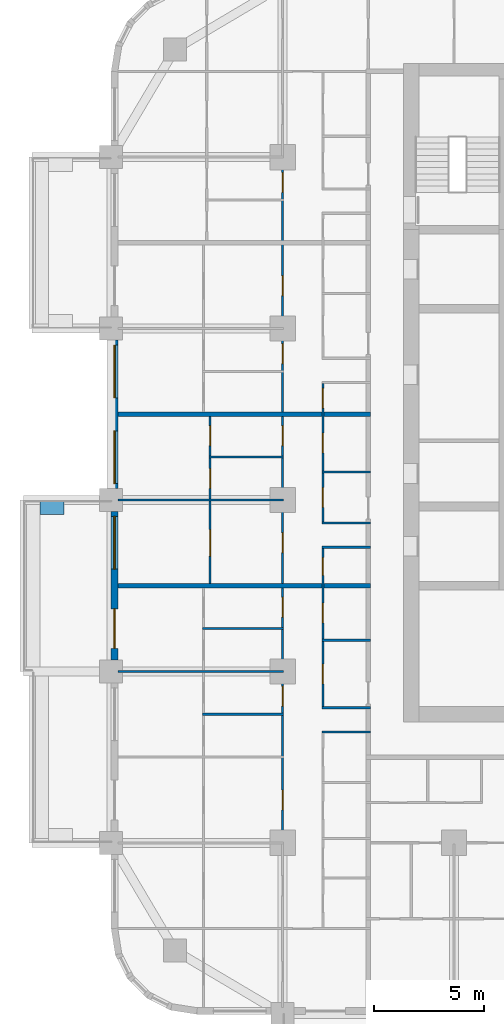
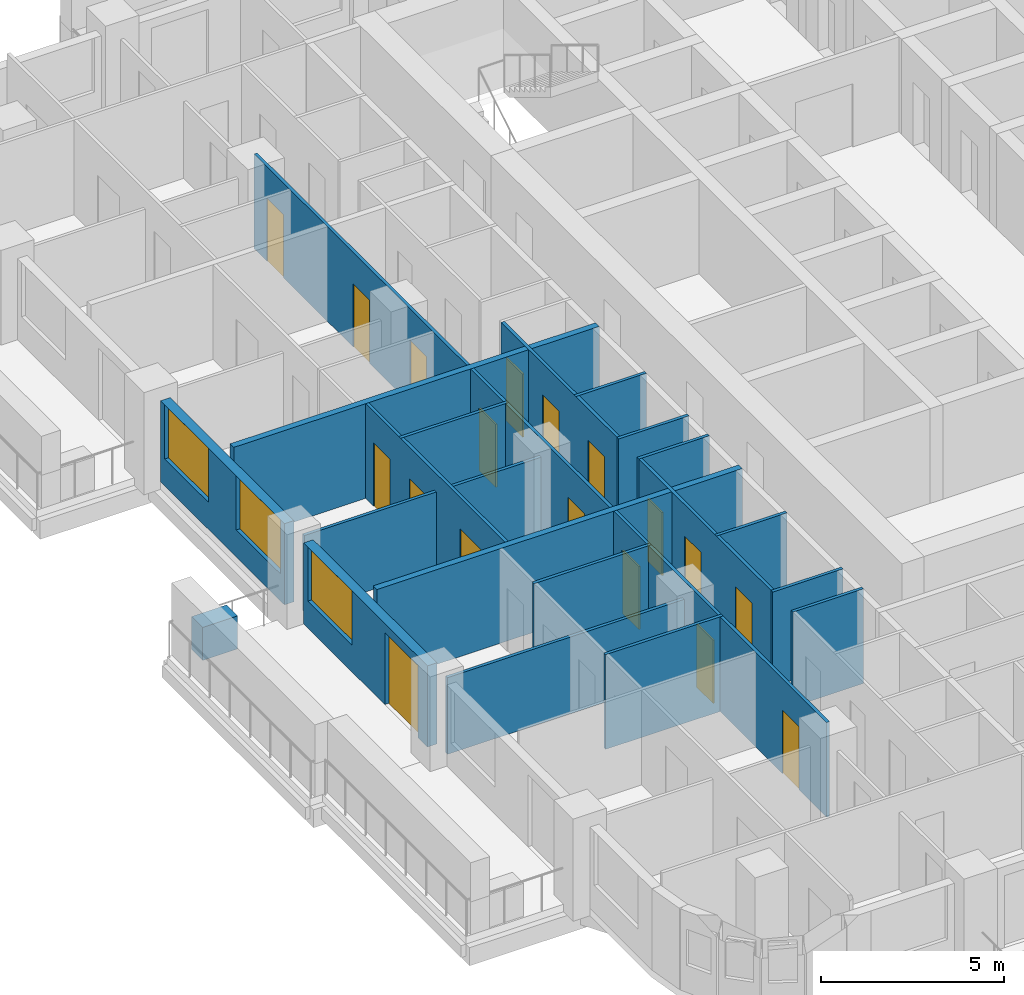
# One storey, part 5 of 17: 20 walls, 18 doors, 3 windows, 21 openings.
"""IFC4 building model written with IfcOpenShell, lengths in metres."""

from ifc_helpers import new_model, si_unit, direction, frame, frame_2d, origin, place, context, subcontext, project, spatial, rectangle, extrude, material, layer, layer_set, type_object, element, fill, save


model = new_model("IFC4")

# Units and contexts
model_context = context("Model", 3, precision=1e-05, world=origin(), true_north=direction((0.0, 1.0)))
body_context = subcontext(model_context, "Body", "Model", "MODEL_VIEW")
ifc_project = project(units=[si_unit("LENGTHUNIT", "METRE"), si_unit("AREAUNIT", "SQUARE_METRE"), si_unit("VOLUMEUNIT", "CUBIC_METRE"), si_unit("PLANEANGLEUNIT", "RADIAN"), si_unit("MASSUNIT", "GRAM", prefix="KILO")], contexts=[model_context])

# Site, building, storey
site_placement = place(None, origin())
site = spatial("IfcSite", under=ifc_project, at=site_placement, CompositionType="ELEMENT")
building_placement = place(site_placement, origin())
building = spatial("IfcBuilding", under=site, at=building_placement, Name="Ludao Terraces", CompositionType="ELEMENT")
storey_placement = place(building_placement, frame((0.0, 0.0, 22.89990234375)))
storey = spatial("IfcBuildingStorey", under=building, at=storey_placement, Name="L05", CompositionType="ELEMENT", Elevation=22.89990234375)

# Wall
ifc_material_1 = material(Name="Concrete C40", Category="concrete")
ifc_layer_1 = layer(ifc_material_1, 0.60009765625)
ifc_layer_set_1 = layer_set([ifc_layer_1], Name="ENV Planter trough 600")
wall_type_1 = type_object("IfcWallType", Name="ENV Planter trough 600", PredefinedType="USERDEFINED", material=ifc_layer_set_1)
wall_1_placement = place(storey_placement, frame((58.35009765625, 64.64990234375, 0.0), z_axis=(0.0, 0.0, 1.0), x_axis=(1.0, 0.0, 0.0)))
element("IfcWall", 1, at=wall_1_placement, inside=storey, type_object=wall_type_1, Name="PL-L05-W2-SB", ObjectType="PLANTER", PredefinedType="USERDEFINED", context=body_context, shape_type="SweptSolid", body=[
    extrude(rectangle(XDim=1.099853515625, YDim=0.60009765625, at=frame_2d((0.5498046875, 0.0))), origin(), (0.0, 0.0, 1.0), 1.10009765625),
])

# Wall, openings, door, window
ifc_material_2 = material(Name="Granite cladding", Category="masonry")
ifc_layer_2 = layer(ifc_material_2, 0.0400390625, Category="stone")
ifc_material_3 = material(Name="Mineral wool")
ifc_layer_3 = layer(ifc_material_3, 0.06005859375)
ifc_layer_4 = layer(ifc_material_1, 0.199951171875, Category="concrete")
ifc_layer_set_2 = layer_set([ifc_layer_2, ifc_layer_3, ifc_layer_4], Name="ENV Stone-clad wall 300")
wall_type_2 = type_object("IfcWallType", Name="ENV Stone-clad wall 300", PredefinedType="SOLIDWALL", material=ifc_layer_set_2)
wall_2_placement = place(storey_placement, frame((61.75, 57.72509765625, 0.0), z_axis=(0.0, 0.0, 1.0), x_axis=(0.0, 1.0, 0.0)))
wall_2 = element("IfcWall", 2, at=wall_2_placement, inside=storey, type_object=wall_type_2, Name="EW-L05-W3", PredefinedType="SOLIDWALL", context=body_context, shape_type="SweptSolid", body=[
    extrude(rectangle(XDim=6.75, YDim=0.300048828125, at=frame_2d((3.375, 0.0))), origin(), (0.0, 0.0, 1.0), 2.7001953125),
])
opening_1_placement = place(wall_2_placement, frame((0.52490234375, 0.0, 0.0)))
opening_1 = element("IfcOpeningElement", 3, at=opening_1_placement, cuts=wall_2, Name="Opening BD", PredefinedType="OPENING", context=body_context, shape_type="SweptSolid", body=[
    extrude(rectangle(XDim=1.800048828125, YDim=2.39990234375, at=frame_2d((0.89990234375, 1.199951171875))), frame((0.0, 0.16015625, 0.0), z_axis=(0.0, -1.0, 0.0), x_axis=(1.0, 0.0, 0.0)), (0.0, 0.0, 1.0), 0.320068359375),
])
opening_2_placement = place(wall_2_placement, frame((4.125, 0.0, 0.89990234375)))
opening_2 = element("IfcOpeningElement", 4, at=opening_2_placement, cuts=wall_2, Name="Opening W1", PredefinedType="OPENING", context=body_context, shape_type="SweptSolid", body=[
    extrude(rectangle(XDim=2.39990234375, YDim=1.800048828125, at=frame_2d((1.199951171875, 0.89990234375))), frame((0.0, 0.16015625, 0.0), z_axis=(0.0, -1.0, 0.0), x_axis=(1.0, 0.0, 0.0)), (0.0, 0.0, 1.0), 0.320068359375),
])
ifc_material_4 = material(Name="Aluminium glazed door", Category="aluminium")
ifc_layer_5 = layer(ifc_material_4, 0.06005859375)
ifc_layer_set_3 = layer_set([ifc_layer_5], Name="ENV Balcony door BD 1800x2400")
door_type_1 = type_object("IfcDoorType", Name="ENV Balcony door BD 1800x2400", OperationType="DOUBLE_DOOR_SINGLE_SWING", PredefinedType="DOOR", material=ifc_layer_set_3)
door_1_placement = place(opening_1_placement, origin())
door_1 = element("IfcDoor", 5, at=door_1_placement, inside=storey, type_object=door_type_1, Name="BD-L05-W3-1", OperationType="DOUBLE_DOOR_SINGLE_SWING", OverallHeight=2.39990234375, OverallWidth=1.800048828125, PredefinedType="DOOR", context=body_context, shape_type="SweptSolid", body=[
    extrude(rectangle(XDim=1.800048828125, YDim=2.39990234375, at=frame_2d((0.89990234375, 1.199951171875))), frame((0.0, 0.02490234375, 0.0), z_axis=(0.0, -1.0, 0.0), x_axis=(1.0, 0.0, 0.0)), (0.0, 0.0, 1.0), 0.050048828125),
])
fill(opening_1, door_1)
ifc_material_5 = material(Name="Clear glass in aluminium frame", Category="aluminium")
ifc_layer_6 = layer(ifc_material_5, 0.06005859375)
ifc_layer_set_4 = layer_set([ifc_layer_6], Name="ENV Window W1 2400x1800")
window_type = type_object("IfcWindowType", Name="ENV Window W1 2400x1800", PartitioningType="DOUBLE_PANEL_VERTICAL", PredefinedType="WINDOW", material=ifc_layer_set_4)
window_1_placement = place(opening_2_placement, origin())
window_1 = element("IfcWindow", 6, at=window_1_placement, inside=storey, type_object=window_type, Name="W-L05-W3-2", OverallHeight=1.800048828125, OverallWidth=2.39990234375, PartitioningType="DOUBLE_PANEL_VERTICAL", PredefinedType="WINDOW", context=body_context, shape_type="SweptSolid", body=[
    extrude(rectangle(XDim=2.39990234375, YDim=1.800048828125, at=frame_2d((1.199951171875, 0.89990234375))), frame((0.0, 0.030029296875, 0.0), z_axis=(0.0, -1.0, 0.0), x_axis=(1.0, 0.0, 0.0)), (0.0, 0.0, 1.0), 0.06005859375),
])
fill(opening_2, window_1)

# Wall, openings, windows
wall_3_placement = place(storey_placement, frame((61.75, 65.52490234375, 0.0), z_axis=(0.0, 0.0, 1.0), x_axis=(0.0, 1.0, 0.0)))
wall_3 = element("IfcWall", 7, at=wall_3_placement, inside=storey, type_object=wall_type_2, Name="EW-L05-W4", PredefinedType="SOLIDWALL", context=body_context, shape_type="SweptSolid", body=[
    extrude(rectangle(XDim=6.75, YDim=0.300048828125, at=frame_2d((3.375, 0.0))), origin(), (0.0, 0.0, 1.0), 2.7001953125),
])
opening_3_placement = place(wall_3_placement, frame((0.22509765625, 0.0, 0.89990234375)))
opening_3 = element("IfcOpeningElement", 8, at=opening_3_placement, cuts=wall_3, Name="Opening W1", PredefinedType="OPENING", context=body_context, shape_type="SweptSolid", body=[
    extrude(rectangle(XDim=2.39990234375, YDim=1.800048828125, at=frame_2d((1.199951171875, 0.89990234375))), frame((0.0, 0.16015625, 0.0), z_axis=(0.0, -1.0, 0.0), x_axis=(1.0, 0.0, 0.0)), (0.0, 0.0, 1.0), 0.320068359375),
])
opening_4_placement = place(wall_3_placement, frame((4.125, 0.0, 0.89990234375)))
opening_4 = element("IfcOpeningElement", 9, at=opening_4_placement, cuts=wall_3, Name="Opening W1", PredefinedType="OPENING", context=body_context, shape_type="SweptSolid", body=[
    extrude(rectangle(XDim=2.39990234375, YDim=1.800048828125, at=frame_2d((1.199951171875, 0.89990234375))), frame((0.0, 0.16015625, 0.0), z_axis=(0.0, -1.0, 0.0), x_axis=(1.0, 0.0, 0.0)), (0.0, 0.0, 1.0), 0.320068359375),
])
window_2_placement = place(opening_3_placement, origin())
window_2 = element("IfcWindow", 10, at=window_2_placement, inside=storey, type_object=window_type, Name="W-L05-W4-1", OverallHeight=1.800048828125, OverallWidth=2.39990234375, PartitioningType="DOUBLE_PANEL_VERTICAL", PredefinedType="WINDOW", context=body_context, shape_type="SweptSolid", body=[
    extrude(rectangle(XDim=2.39990234375, YDim=1.800048828125, at=frame_2d((1.199951171875, 0.89990234375))), frame((0.0, 0.030029296875, 0.0), z_axis=(0.0, -1.0, 0.0), x_axis=(1.0, 0.0, 0.0)), (0.0, 0.0, 1.0), 0.06005859375),
])
fill(opening_3, window_2)
window_3_placement = place(opening_4_placement, origin())
window_3 = element("IfcWindow", 11, at=window_3_placement, inside=storey, type_object=window_type, Name="W-L05-W4-2", OverallHeight=1.800048828125, OverallWidth=2.39990234375, PartitioningType="DOUBLE_PANEL_VERTICAL", PredefinedType="WINDOW", context=body_context, shape_type="SweptSolid", body=[
    extrude(rectangle(XDim=2.39990234375, YDim=1.800048828125, at=frame_2d((1.199951171875, 0.89990234375))), frame((0.0, 0.030029296875, 0.0), z_axis=(0.0, -1.0, 0.0), x_axis=(1.0, 0.0, 0.0)), (0.0, 0.0, 1.0), 0.06005859375),
])
fill(opening_4, window_3)

# Walls
ifc_material_6 = material(Name="Gypsum plasterboard", Category="gypsum")
ifc_layer_7 = layer(ifc_material_6, 0.012451171875, Category="gypsum")
ifc_layer_8 = layer(ifc_material_3, 0.06005859375, Name="insulation")
ifc_material_7 = material(Name="Steel Q235", Category="steel")
ifc_layer_9 = layer(ifc_material_7, 0.014892578125, Name="stud")
ifc_layer_10 = layer(ifc_material_6, 0.012451171875, Category="gypsum")
ifc_layer_set_5 = layer_set([ifc_layer_7, ifc_layer_8, ifc_layer_9, ifc_layer_10], Name="INT Partition 100")
wall_type_3 = type_object("IfcWallType", Name="INT Partition 100", PredefinedType="PARTITIONING", material=ifc_layer_set_5)
wall_4_placement = place(storey_placement, frame((71.18017578125, 54.449951171875, 0.0), z_axis=(0.0, 0.0, 1.0), x_axis=(1.0, 0.0, 0.0)))
element("IfcWall", 12, at=wall_4_placement, inside=storey, type_object=wall_type_3, Name="PW-L05-PW020", PredefinedType="PARTITIONING", context=body_context, shape_type="SweptSolid", body=[
    extrude(rectangle(XDim=2.219970703125, YDim=0.10009765625, at=frame_2d((1.10986328125, 0.0))), origin(), (0.0, 0.0, 1.0), 3.150146484375),
])
wall_5_placement = place(storey_placement, frame((65.75, 55.25, 0.0), z_axis=(0.0, 0.0, 1.0), x_axis=(1.0, 0.0, 0.0)))
element("IfcWall", 13, at=wall_5_placement, inside=storey, type_object=wall_type_3, Name="PW-L05-PW021", PredefinedType="PARTITIONING", context=body_context, shape_type="SweptSolid", body=[
    extrude(rectangle(XDim=3.7001953125, YDim=0.10009765625, at=frame_2d((1.85009765625, 0.0))), origin(), (0.0, 0.0, 1.0), 3.150146484375),
])
wall_6_placement = place(storey_placement, frame((71.18017578125, 55.550048828125, 0.0), z_axis=(0.0, 0.0, 1.0), x_axis=(1.0, 0.0, 0.0)))
element("IfcWall", 14, at=wall_6_placement, inside=storey, type_object=wall_type_3, Name="PW-L05-PW022", PredefinedType="PARTITIONING", context=body_context, shape_type="SweptSolid", body=[
    extrude(rectangle(XDim=2.219970703125, YDim=0.10009765625, at=frame_2d((1.10986328125, 0.0))), origin(), (0.0, 0.0, 1.0), 3.150146484375),
])
wall_7_placement = place(storey_placement, frame((61.900146484375, 57.199951171875, 0.0), z_axis=(0.0, 0.0, 1.0), x_axis=(1.0, 0.0, 0.0)))
element("IfcWall", 15, at=wall_7_placement, inside=storey, type_object=wall_type_3, Name="PW-L05-PW024", PredefinedType="PARTITIONING", context=body_context, shape_type="SweptSolid", body=[
    extrude(rectangle(XDim=7.550048828125, YDim=0.10009765625, at=frame_2d((3.77490234375, 0.0))), origin(), (0.0, 0.0, 1.0), 2.550048828125),
])
wall_8_placement = place(storey_placement, frame((71.18017578125, 58.6201171875, 0.0), z_axis=(0.0, 0.0, 1.0), x_axis=(1.0, 0.0, 0.0)))
element("IfcWall", 16, at=wall_8_placement, inside=storey, type_object=wall_type_3, Name="PW-L05-PW027", PredefinedType="PARTITIONING", context=body_context, shape_type="SweptSolid", body=[
    extrude(rectangle(XDim=2.219970703125, YDim=0.10009765625, at=frame_2d((1.10986328125, 0.0))), origin(), (0.0, 0.0, 1.0), 3.150146484375),
])
wall_9_placement = place(storey_placement, frame((65.75, 59.14990234375, 0.0), z_axis=(0.0, 0.0, 1.0), x_axis=(1.0, 0.0, 0.0)))
element("IfcWall", 17, at=wall_9_placement, inside=storey, type_object=wall_type_3, Name="PW-L05-PW029", PredefinedType="PARTITIONING", context=body_context, shape_type="SweptSolid", body=[
    extrude(rectangle(XDim=3.7001953125, YDim=0.10009765625, at=frame_2d((1.85009765625, 0.0))), origin(), (0.0, 0.0, 1.0), 3.150146484375),
])
for number, where, z_axis, x_axis, name in (
    (18, (71.18017578125, 62.85009765625, 0.0), (0.0, 0.0, 1.0), (1.0, 0.0, 0.0), "PW-L05-PW035"),
    (19, (71.18017578125, 63.949951171875, 0.0), (0.0, 0.0, 1.0), (1.0, 0.0, 0.0), "PW-L05-PW038"),
):
    element("IfcWall", number, at=place(storey_placement, frame(where, z_axis=z_axis, x_axis=x_axis)), inside=storey, type_object=wall_type_3, Name=name, PredefinedType="PARTITIONING", context=body_context, shape_type="SweptSolid", body=[
        extrude(rectangle(XDim=2.219970703125, YDim=0.10009765625, at=frame_2d((1.10986328125, 0.0))), origin(), (0.0, 0.0, 1.0), 3.150146484375),
    ])
wall_10_placement = place(storey_placement, frame((61.900146484375, 65.0, 0.0), z_axis=(0.0, 0.0, 1.0), x_axis=(1.0, 0.0, 0.0)))
element("IfcWall", 20, at=wall_10_placement, inside=storey, type_object=wall_type_3, Name="PW-L05-PW039", PredefinedType="PARTITIONING", context=body_context, shape_type="SweptSolid", body=[
    extrude(rectangle(XDim=7.550048828125, YDim=0.10009765625, at=frame_2d((3.77490234375, 0.0))), origin(), (0.0, 0.0, 1.0), 2.550048828125),
])
wall_11_placement = place(storey_placement, frame((71.18017578125, 66.280029296875, 0.0), z_axis=(0.0, 0.0, 1.0), x_axis=(1.0, 0.0, 0.0)))
element("IfcWall", 21, at=wall_11_placement, inside=storey, type_object=wall_type_3, Name="PW-L05-PW042", PredefinedType="PARTITIONING", context=body_context, shape_type="SweptSolid", body=[
    extrude(rectangle(XDim=2.219970703125, YDim=0.10009765625, at=frame_2d((1.10986328125, 0.0))), origin(), (0.0, 0.0, 1.0), 3.150146484375),
])
wall_12_placement = place(storey_placement, frame((66.050048828125, 66.949951171875, 0.0), z_axis=(0.0, 0.0, 1.0), x_axis=(1.0, 0.0, 0.0)))
element("IfcWall", 22, at=wall_12_placement, inside=storey, type_object=wall_type_3, Name="PW-L05-PW043", PredefinedType="PARTITIONING", context=body_context, shape_type="SweptSolid", body=[
    extrude(rectangle(XDim=3.400146484375, YDim=0.10009765625, at=frame_2d((1.7001953125, 0.0))), origin(), (0.0, 0.0, 1.0), 3.150146484375),
])

# Wall, openings, doors
wall_13_placement = place(storey_placement, frame((66.10009765625, 61.2001953125, 0.0), z_axis=(0.0, 0.0, 1.0), x_axis=(0.0, 1.0, 0.0)))
wall_13 = element("IfcWall", 23, at=wall_13_placement, inside=storey, type_object=wall_type_3, Name="PW-L05-PW076", PredefinedType="PARTITIONING", context=body_context, shape_type="SweptSolid", body=[
    extrude(rectangle(XDim=7.599853515625, YDim=0.10009765625, at=frame_2d((3.7998046875, 0.0))), origin(), (0.0, 0.0, 1.0), 3.150146484375),
])
opening_5_placement = place(wall_13_placement, frame((1.25, 0.0, 0.0)))
opening_5 = element("IfcOpeningElement", 24, at=opening_5_placement, cuts=wall_13, Name="Opening R01-076", PredefinedType="OPENING", context=body_context, shape_type="SweptSolid", body=[
    extrude(rectangle(XDim=1.199951171875, YDim=2.10009765625, at=frame_2d((0.60009765625, 1.050048828125))), frame((0.0, 0.06005859375, 0.0), z_axis=(0.0, -1.0, 0.0), x_axis=(1.0, 0.0, 0.0)), (0.0, 0.0, 1.0), 0.1201171875),
])
opening_6_placement = place(wall_13_placement, frame((4.324951171875, 0.0, 0.0)))
opening_6 = element("IfcOpeningElement", 25, at=opening_6_placement, cuts=wall_13, Name="Opening R01-086", PredefinedType="OPENING", context=body_context, shape_type="SweptSolid", body=[
    extrude(rectangle(XDim=0.89990234375, YDim=2.10009765625, at=frame_2d((0.449951171875, 1.050048828125))), frame((0.0, 0.06005859375, 0.0), z_axis=(0.0, -1.0, 0.0), x_axis=(1.0, 0.0, 0.0)), (0.0, 0.0, 1.0), 0.1201171875),
])
opening_7_placement = place(wall_13_placement, frame((6.27490234375, 0.0, 0.0)))
opening_7 = element("IfcOpeningElement", 26, at=opening_7_placement, cuts=wall_13, Name="Opening R01-093", PredefinedType="OPENING", context=body_context, shape_type="SweptSolid", body=[
    extrude(rectangle(XDim=0.89990234375, YDim=2.10009765625, at=frame_2d((0.449951171875, 1.050048828125))), frame((0.0, 0.06005859375, 0.0), z_axis=(0.0, -1.0, 0.0), x_axis=(1.0, 0.0, 0.0)), (0.0, 0.0, 1.0), 0.1201171875),
])
ifc_material_8 = material(Name="Timber door leaf", Category="wood")
door_type_2 = type_object("IfcDoorType", Name="INT Bathroom door 900", OperationType="SINGLE_SWING_LEFT", PredefinedType="DOOR", material=ifc_material_8)
door_2_placement = place(opening_6_placement, origin())
door_2 = element("IfcDoor", 27, at=door_2_placement, inside=storey, type_object=door_type_2, Name="DOOR 086", OperationType="SINGLE_SWING_RIGHT", OverallHeight=2.10009765625, OverallWidth=0.89990234375, PredefinedType="DOOR", context=body_context, shape_type="SweptSolid", body=[
    extrude(rectangle(XDim=0.89990234375, YDim=2.10009765625, at=frame_2d((0.449951171875, 1.050048828125))), frame((0.0, 0.02490234375, 0.0), z_axis=(0.0, -1.0, 0.0), x_axis=(1.0, 0.0, 0.0)), (0.0, 0.0, 1.0), 0.050048828125),
])
fill(opening_6, door_2)
door_type_3 = type_object("IfcDoorType", Name="INT Double door 1200", OperationType="DOUBLE_DOOR_SINGLE_SWING", PredefinedType="DOOR", material=ifc_material_8)
door_3_placement = place(opening_5_placement, origin())
door_3 = element("IfcDoor", 28, at=door_3_placement, inside=storey, type_object=door_type_3, Name="DOOR 076", OperationType="DOUBLE_DOOR_SINGLE_SWING", OverallHeight=2.10009765625, OverallWidth=1.199951171875, PredefinedType="DOOR", context=body_context, shape_type="SweptSolid", body=[
    extrude(rectangle(XDim=1.199951171875, YDim=2.10009765625, at=frame_2d((0.60009765625, 1.050048828125))), frame((0.0, 0.02490234375, 0.0), z_axis=(0.0, -1.0, 0.0), x_axis=(1.0, 0.0, 0.0)), (0.0, 0.0, 1.0), 0.050048828125),
])
fill(opening_5, door_3)
door_type_4 = type_object("IfcDoorType", Name="INT Room door 900", OperationType="SINGLE_SWING_LEFT", PredefinedType="DOOR", material=ifc_material_8)
door_4_placement = place(opening_7_placement, origin())
door_4 = element("IfcDoor", 29, at=door_4_placement, inside=storey, type_object=door_type_4, Name="DOOR 093", OperationType="SINGLE_SWING_LEFT", OverallHeight=2.10009765625, OverallWidth=0.89990234375, PredefinedType="DOOR", context=body_context, shape_type="SweptSolid", body=[
    extrude(rectangle(XDim=0.89990234375, YDim=2.10009765625, at=frame_2d((0.449951171875, 1.050048828125))), frame((0.0, 0.02490234375, 0.0), z_axis=(0.0, -1.0, 0.0), x_axis=(1.0, 0.0, 0.0)), (0.0, 0.0, 1.0), 0.050048828125),
])
fill(opening_7, door_4)

wall_14_placement = place(storey_placement, frame((69.39990234375, 49.39990234375, 0.0), z_axis=(0.0, 0.0, 1.0), x_axis=(0.0, 1.0, 0.0)))
wall_14 = element("IfcWall", 30, at=wall_14_placement, inside=storey, type_object=wall_type_3, Name="PW-L05-PW077-2", PredefinedType="PARTITIONING", context=body_context, shape_type="SweptSolid", body=[
    extrude(rectangle(XDim=31.2001953125, YDim=0.10009765625, at=frame_2d((15.60009765625, 0.0))), origin(), (0.0, 0.0, 1.0), 3.150146484375),
])
opening_8_placement = place(wall_14_placement, frame((1.500244140625, 0.0, 0.0)))
opening_8 = element("IfcOpeningElement", 31, at=opening_8_placement, cuts=wall_14, Name="Opening R01-042", PredefinedType="OPENING", context=body_context, shape_type="SweptSolid", body=[
    extrude(rectangle(XDim=0.89990234375, YDim=2.10009765625, at=frame_2d((0.449951171875, 1.050048828125))), frame((0.0, 0.06005859375, 0.0), z_axis=(0.0, -1.0, 0.0), x_axis=(1.0, 0.0, 0.0)), (0.0, 0.0, 1.0), 0.1201171875),
])
opening_9_placement = place(wall_14_placement, frame((6.22509765625, 0.0, 0.0)))
opening_9 = element("IfcOpeningElement", 32, at=opening_9_placement, cuts=wall_14, Name="Opening R01-054", PredefinedType="OPENING", context=body_context, shape_type="SweptSolid", body=[
    extrude(rectangle(XDim=0.89990234375, YDim=2.10009765625, at=frame_2d((0.449951171875, 1.050048828125))), frame((0.0, 0.06005859375, 0.0), z_axis=(0.0, -1.0, 0.0), x_axis=(1.0, 0.0, 0.0)), (0.0, 0.0, 1.0), 0.1201171875),
])
opening_10_placement = place(wall_14_placement, frame((10.275146484375, 0.0, 0.0)))
opening_10 = element("IfcOpeningElement", 33, at=opening_10_placement, cuts=wall_14, Name="Opening R01-067", PredefinedType="OPENING", context=body_context, shape_type="SweptSolid", body=[
    extrude(rectangle(XDim=0.89990234375, YDim=2.10009765625, at=frame_2d((0.449951171875, 1.050048828125))), frame((0.0, 0.06005859375, 0.0), z_axis=(0.0, -1.0, 0.0), x_axis=(1.0, 0.0, 0.0)), (0.0, 0.0, 1.0), 0.1201171875),
])
opening_11_placement = place(wall_14_placement, frame((13.2001953125, 0.0, 0.0)))
opening_11 = element("IfcOpeningElement", 34, at=opening_11_placement, cuts=wall_14, Name="Opening R01-077", PredefinedType="OPENING", context=body_context, shape_type="SweptSolid", body=[
    extrude(rectangle(XDim=0.89990234375, YDim=2.10009765625, at=frame_2d((0.449951171875, 1.050048828125))), frame((0.0, 0.06005859375, 0.0), z_axis=(0.0, -1.0, 0.0), x_axis=(1.0, 0.0, 0.0)), (0.0, 0.0, 1.0), 0.1201171875),
])
opening_12_placement = place(wall_14_placement, frame((18.0751953125, 0.0, 0.0)))
opening_12 = element("IfcOpeningElement", 35, at=opening_12_placement, cuts=wall_14, Name="Opening R01-094", PredefinedType="OPENING", context=body_context, shape_type="SweptSolid", body=[
    extrude(rectangle(XDim=0.89990234375, YDim=2.10009765625, at=frame_2d((0.449951171875, 1.050048828125))), frame((0.0, 0.06005859375, 0.0), z_axis=(0.0, -1.0, 0.0), x_axis=(1.0, 0.0, 0.0)), (0.0, 0.0, 1.0), 0.1201171875),
])
opening_13_placement = place(wall_14_placement, frame((21.80029296875, 0.0, 0.0)))
opening_13 = element("IfcOpeningElement", 36, at=opening_13_placement, cuts=wall_14, Name="Opening R01-102", PredefinedType="OPENING", context=body_context, shape_type="SweptSolid", body=[
    extrude(rectangle(XDim=0.89990234375, YDim=2.10009765625, at=frame_2d((0.449951171875, 1.050048828125))), frame((0.0, 0.06005859375, 0.0), z_axis=(0.0, -1.0, 0.0), x_axis=(1.0, 0.0, 0.0)), (0.0, 0.0, 1.0), 0.1201171875),
])
opening_14_placement = place(wall_14_placement, frame((24.900146484375, 0.0, 0.0)))
opening_14 = element("IfcOpeningElement", 37, at=opening_14_placement, cuts=wall_14, Name="Opening R01-112", PredefinedType="OPENING", context=body_context, shape_type="SweptSolid", body=[
    extrude(rectangle(XDim=0.89990234375, YDim=2.10009765625, at=frame_2d((0.449951171875, 1.050048828125))), frame((0.0, 0.06005859375, 0.0), z_axis=(0.0, -1.0, 0.0), x_axis=(1.0, 0.0, 0.0)), (0.0, 0.0, 1.0), 0.1201171875),
])
opening_15_placement = place(wall_14_placement, frame((29.60009765625, 0.0, 0.0)))
opening_15 = element("IfcOpeningElement", 38, at=opening_15_placement, cuts=wall_14, Name="Opening R01-131", PredefinedType="OPENING", context=body_context, shape_type="SweptSolid", body=[
    extrude(rectangle(XDim=0.89990234375, YDim=2.10009765625, at=frame_2d((0.449951171875, 1.050048828125))), frame((0.0, 0.06005859375, 0.0), z_axis=(0.0, -1.0, 0.0), x_axis=(1.0, 0.0, 0.0)), (0.0, 0.0, 1.0), 0.1201171875),
])
door_5_placement = place(opening_8_placement, origin())
door_5 = element("IfcDoor", 39, at=door_5_placement, inside=storey, type_object=door_type_4, Name="DOOR 042", OperationType="SINGLE_SWING_LEFT", OverallHeight=2.10009765625, OverallWidth=0.89990234375, PredefinedType="DOOR", context=body_context, shape_type="SweptSolid", body=[
    extrude(rectangle(XDim=0.89990234375, YDim=2.10009765625, at=frame_2d((0.449951171875, 1.050048828125))), frame((0.0, 0.02490234375, 0.0), z_axis=(0.0, -1.0, 0.0), x_axis=(1.0, 0.0, 0.0)), (0.0, 0.0, 1.0), 0.050048828125),
])
fill(opening_8, door_5)
door_6_placement = place(opening_9_placement, origin())
door_6 = element("IfcDoor", 40, at=door_6_placement, inside=storey, type_object=door_type_4, Name="DOOR 054", OperationType="SINGLE_SWING_LEFT", OverallHeight=2.10009765625, OverallWidth=0.89990234375, PredefinedType="DOOR", context=body_context, shape_type="SweptSolid", body=[
    extrude(rectangle(XDim=0.89990234375, YDim=2.10009765625, at=frame_2d((0.449951171875, 1.050048828125))), frame((0.0, 0.02490234375, 0.0), z_axis=(0.0, -1.0, 0.0), x_axis=(1.0, 0.0, 0.0)), (0.0, 0.0, 1.0), 0.050048828125),
])
fill(opening_9, door_6)
door_7_placement = place(opening_10_placement, origin())
door_7 = element("IfcDoor", 41, at=door_7_placement, inside=storey, type_object=door_type_4, Name="DOOR 067", OperationType="SINGLE_SWING_RIGHT", OverallHeight=2.10009765625, OverallWidth=0.89990234375, PredefinedType="DOOR", context=body_context, shape_type="SweptSolid", body=[
    extrude(rectangle(XDim=0.89990234375, YDim=2.10009765625, at=frame_2d((0.449951171875, 1.050048828125))), frame((0.0, 0.02490234375, 0.0), z_axis=(0.0, -1.0, 0.0), x_axis=(1.0, 0.0, 0.0)), (0.0, 0.0, 1.0), 0.050048828125),
])
fill(opening_10, door_7)
door_8_placement = place(opening_11_placement, origin())
door_8 = element("IfcDoor", 42, at=door_8_placement, inside=storey, type_object=door_type_4, Name="DOOR 077", OperationType="SINGLE_SWING_LEFT", OverallHeight=2.10009765625, OverallWidth=0.89990234375, PredefinedType="DOOR", context=body_context, shape_type="SweptSolid", body=[
    extrude(rectangle(XDim=0.89990234375, YDim=2.10009765625, at=frame_2d((0.449951171875, 1.050048828125))), frame((0.0, 0.02490234375, 0.0), z_axis=(0.0, -1.0, 0.0), x_axis=(1.0, 0.0, 0.0)), (0.0, 0.0, 1.0), 0.050048828125),
])
fill(opening_11, door_8)
door_9_placement = place(opening_12_placement, origin())
door_9 = element("IfcDoor", 43, at=door_9_placement, inside=storey, type_object=door_type_4, Name="DOOR 094", OperationType="SINGLE_SWING_RIGHT", OverallHeight=2.10009765625, OverallWidth=0.89990234375, PredefinedType="DOOR", context=body_context, shape_type="SweptSolid", body=[
    extrude(rectangle(XDim=0.89990234375, YDim=2.10009765625, at=frame_2d((0.449951171875, 1.050048828125))), frame((0.0, 0.02490234375, 0.0), z_axis=(0.0, -1.0, 0.0), x_axis=(1.0, 0.0, 0.0)), (0.0, 0.0, 1.0), 0.050048828125),
])
fill(opening_12, door_9)
door_10_placement = place(opening_13_placement, origin())
door_10 = element("IfcDoor", 44, at=door_10_placement, inside=storey, type_object=door_type_4, Name="DOOR 102", OperationType="SINGLE_SWING_LEFT", OverallHeight=2.10009765625, OverallWidth=0.89990234375, PredefinedType="DOOR", context=body_context, shape_type="SweptSolid", body=[
    extrude(rectangle(XDim=0.89990234375, YDim=2.10009765625, at=frame_2d((0.449951171875, 1.050048828125))), frame((0.0, 0.02490234375, 0.0), z_axis=(0.0, -1.0, 0.0), x_axis=(1.0, 0.0, 0.0)), (0.0, 0.0, 1.0), 0.050048828125),
])
fill(opening_13, door_10)
door_11_placement = place(opening_14_placement, origin())
door_11 = element("IfcDoor", 45, at=door_11_placement, inside=storey, type_object=door_type_4, Name="DOOR 112", OperationType="SINGLE_SWING_LEFT", OverallHeight=2.10009765625, OverallWidth=0.89990234375, PredefinedType="DOOR", context=body_context, shape_type="SweptSolid", body=[
    extrude(rectangle(XDim=0.89990234375, YDim=2.10009765625, at=frame_2d((0.449951171875, 1.050048828125))), frame((0.0, 0.02490234375, 0.0), z_axis=(0.0, -1.0, 0.0), x_axis=(1.0, 0.0, 0.0)), (0.0, 0.0, 1.0), 0.050048828125),
])
fill(opening_14, door_11)
door_12_placement = place(opening_15_placement, origin())
door_12 = element("IfcDoor", 46, at=door_12_placement, inside=storey, type_object=door_type_4, Name="DOOR 131", OperationType="SINGLE_SWING_LEFT", OverallHeight=2.10009765625, OverallWidth=0.89990234375, PredefinedType="DOOR", context=body_context, shape_type="SweptSolid", body=[
    extrude(rectangle(XDim=0.89990234375, YDim=2.10009765625, at=frame_2d((0.449951171875, 1.050048828125))), frame((0.0, 0.02490234375, 0.0), z_axis=(0.0, -1.0, 0.0), x_axis=(1.0, 0.0, 0.0)), (0.0, 0.0, 1.0), 0.050048828125),
])
fill(opening_15, door_12)

wall_15_placement = place(storey_placement, frame((71.22998046875, 55.60009765625, 0.0), z_axis=(0.0, 0.0, 1.0), x_axis=(0.0, 1.0, 0.0)))
wall_15 = element("IfcWall", 47, at=wall_15_placement, inside=storey, type_object=wall_type_3, Name="PW-L05-PW079", PredefinedType="PARTITIONING", context=body_context, shape_type="SweptSolid", body=[
    extrude(rectangle(XDim=7.199951171875, YDim=0.10009765625, at=frame_2d((3.60009765625, 0.0))), origin(), (0.0, 0.0, 1.0), 3.150146484375),
])
opening_16_placement = place(wall_15_placement, frame((1.034912109375, 0.0, 0.0)))
opening_16 = element("IfcOpeningElement", 48, at=opening_16_placement, cuts=wall_15, Name="Opening R01-059", PredefinedType="OPENING", context=body_context, shape_type="SweptSolid", body=[
    extrude(rectangle(XDim=0.89990234375, YDim=2.10009765625, at=frame_2d((0.449951171875, 1.050048828125))), frame((0.0, 0.06005859375, 0.0), z_axis=(0.0, -1.0, 0.0), x_axis=(1.0, 0.0, 0.0)), (0.0, 0.0, 1.0), 0.1201171875),
])
opening_17_placement = place(wall_15_placement, frame((3.81005859375, 0.0, 0.0)))
opening_17 = element("IfcOpeningElement", 49, at=opening_17_placement, cuts=wall_15, Name="Opening R01-064", PredefinedType="OPENING", context=body_context, shape_type="SweptSolid", body=[
    extrude(rectangle(XDim=0.89990234375, YDim=2.10009765625, at=frame_2d((0.449951171875, 1.050048828125))), frame((0.0, 0.06005859375, 0.0), z_axis=(0.0, -1.0, 0.0), x_axis=(1.0, 0.0, 0.0)), (0.0, 0.0, 1.0), 0.1201171875),
])
opening_18_placement = place(wall_15_placement, frame((5.97509765625, 0.0, 0.0)))
opening_18 = element("IfcOpeningElement", 50, at=opening_18_placement, cuts=wall_15, Name="Opening R01-072", PredefinedType="OPENING", context=body_context, shape_type="SweptSolid", body=[
    extrude(rectangle(XDim=0.800048828125, YDim=2.10009765625, at=frame_2d((0.39990234375, 1.050048828125))), frame((0.0, 0.06005859375, 0.0), z_axis=(0.0, -1.0, 0.0), x_axis=(1.0, 0.0, 0.0)), (0.0, 0.0, 1.0), 0.1201171875),
])
door_13_placement = place(opening_17_placement, origin())
door_13 = element("IfcDoor", 51, at=door_13_placement, inside=storey, type_object=door_type_2, Name="DOOR 064", OperationType="SINGLE_SWING_LEFT", OverallHeight=2.10009765625, OverallWidth=0.89990234375, PredefinedType="DOOR", context=body_context, shape_type="SweptSolid", body=[
    extrude(rectangle(XDim=0.89990234375, YDim=2.10009765625, at=frame_2d((0.449951171875, 1.050048828125))), frame((0.0, 0.02490234375, 0.0), z_axis=(0.0, -1.0, 0.0), x_axis=(1.0, 0.0, 0.0)), (0.0, 0.0, 1.0), 0.050048828125),
])
fill(opening_17, door_13)
door_14_placement = place(opening_16_placement, origin())
door_14 = element("IfcDoor", 52, at=door_14_placement, inside=storey, type_object=door_type_4, Name="DOOR 059", OperationType="SINGLE_SWING_LEFT", OverallHeight=2.10009765625, OverallWidth=0.89990234375, PredefinedType="DOOR", context=body_context, shape_type="SweptSolid", body=[
    extrude(rectangle(XDim=0.89990234375, YDim=2.10009765625, at=frame_2d((0.449951171875, 1.050048828125))), frame((0.0, 0.02490234375, 0.0), z_axis=(0.0, -1.0, 0.0), x_axis=(1.0, 0.0, 0.0)), (0.0, 0.0, 1.0), 0.050048828125),
])
fill(opening_16, door_14)
door_type_5 = type_object("IfcDoorType", Name="INT Store door 800", OperationType="SINGLE_SWING_LEFT", PredefinedType="DOOR", material=ifc_material_8)
door_15_placement = place(opening_18_placement, origin())
door_15 = element("IfcDoor", 53, at=door_15_placement, inside=storey, type_object=door_type_5, Name="DOOR 072", OperationType="SINGLE_SWING_RIGHT", OverallHeight=2.10009765625, OverallWidth=0.800048828125, PredefinedType="DOOR", context=body_context, shape_type="SweptSolid", body=[
    extrude(rectangle(XDim=0.800048828125, YDim=2.10009765625, at=frame_2d((0.39990234375, 1.050048828125))), frame((0.0, 0.02490234375, 0.0), z_axis=(0.0, -1.0, 0.0), x_axis=(1.0, 0.0, 0.0)), (0.0, 0.0, 1.0), 0.050048828125),
])
fill(opening_18, door_15)

wall_16_placement = place(storey_placement, frame((71.22998046875, 64.0, 0.0), z_axis=(0.0, 0.0, 1.0), x_axis=(0.0, 1.0, 0.0)))
wall_16 = element("IfcWall", 54, at=wall_16_placement, inside=storey, type_object=wall_type_3, Name="PW-L05-PW080", PredefinedType="PARTITIONING", context=body_context, shape_type="SweptSolid", body=[
    extrude(rectangle(XDim=6.300048828125, YDim=0.10009765625, at=frame_2d((3.14990234375, 0.0))), origin(), (0.0, 0.0, 1.0), 3.150146484375),
])
opening_19_placement = place(wall_16_placement, frame((0.6650390625, 0.0, 0.0)))
opening_19 = element("IfcOpeningElement", 55, at=opening_19_placement, cuts=wall_16, Name="Opening R01-085", PredefinedType="OPENING", context=body_context, shape_type="SweptSolid", body=[
    extrude(rectangle(XDim=0.89990234375, YDim=2.10009765625, at=frame_2d((0.449951171875, 1.050048828125))), frame((0.0, 0.06005859375, 0.0), z_axis=(0.0, -1.0, 0.0), x_axis=(1.0, 0.0, 0.0)), (0.0, 0.0, 1.0), 0.1201171875),
])
opening_20_placement = place(wall_16_placement, frame((3.14013671875, 0.0, 0.0)))
opening_20 = element("IfcOpeningElement", 56, at=opening_20_placement, cuts=wall_16, Name="Opening R01-090", PredefinedType="OPENING", context=body_context, shape_type="SweptSolid", body=[
    extrude(rectangle(XDim=0.89990234375, YDim=2.10009765625, at=frame_2d((0.449951171875, 1.050048828125))), frame((0.0, 0.06005859375, 0.0), z_axis=(0.0, -1.0, 0.0), x_axis=(1.0, 0.0, 0.0)), (0.0, 0.0, 1.0), 0.1201171875),
])
opening_21_placement = place(wall_16_placement, frame((5.175048828125, 0.0, 0.0)))
opening_21 = element("IfcOpeningElement", 57, at=opening_21_placement, cuts=wall_16, Name="Opening R01-096", PredefinedType="OPENING", context=body_context, shape_type="SweptSolid", body=[
    extrude(rectangle(XDim=0.89990234375, YDim=2.10009765625, at=frame_2d((0.449951171875, 1.050048828125))), frame((0.0, 0.06005859375, 0.0), z_axis=(0.0, -1.0, 0.0), x_axis=(1.0, 0.0, 0.0)), (0.0, 0.0, 1.0), 0.1201171875),
])
door_16_placement = place(opening_19_placement, origin())
door_16 = element("IfcDoor", 58, at=door_16_placement, inside=storey, type_object=door_type_2, Name="DOOR 085", OperationType="SINGLE_SWING_LEFT", OverallHeight=2.10009765625, OverallWidth=0.89990234375, PredefinedType="DOOR", context=body_context, shape_type="SweptSolid", body=[
    extrude(rectangle(XDim=0.89990234375, YDim=2.10009765625, at=frame_2d((0.449951171875, 1.050048828125))), frame((0.0, 0.02490234375, 0.0), z_axis=(0.0, -1.0, 0.0), x_axis=(1.0, 0.0, 0.0)), (0.0, 0.0, 1.0), 0.050048828125),
])
fill(opening_19, door_16)
door_17_placement = place(opening_21_placement, origin())
door_17 = element("IfcDoor", 59, at=door_17_placement, inside=storey, type_object=door_type_2, Name="DOOR 096", OperationType="SINGLE_SWING_RIGHT", OverallHeight=2.10009765625, OverallWidth=0.89990234375, PredefinedType="DOOR", context=body_context, shape_type="SweptSolid", body=[
    extrude(rectangle(XDim=0.89990234375, YDim=2.10009765625, at=frame_2d((0.449951171875, 1.050048828125))), frame((0.0, 0.02490234375, 0.0), z_axis=(0.0, -1.0, 0.0), x_axis=(1.0, 0.0, 0.0)), (0.0, 0.0, 1.0), 0.050048828125),
])
fill(opening_21, door_17)
door_18_placement = place(opening_20_placement, origin())
door_18 = element("IfcDoor", 60, at=door_18_placement, inside=storey, type_object=door_type_4, Name="DOOR 090", OperationType="SINGLE_SWING_LEFT", OverallHeight=2.10009765625, OverallWidth=0.89990234375, PredefinedType="DOOR", context=body_context, shape_type="SweptSolid", body=[
    extrude(rectangle(XDim=0.89990234375, YDim=2.10009765625, at=frame_2d((0.449951171875, 1.050048828125))), frame((0.0, 0.02490234375, 0.0), z_axis=(0.0, -1.0, 0.0), x_axis=(1.0, 0.0, 0.0)), (0.0, 0.0, 1.0), 0.050048828125),
])
fill(opening_20, door_18)

# Walls
ifc_material_9 = material(Name="Autoclaved aerated concrete block B06 A3.5", Category="concrete")
ifc_layer_11 = layer(ifc_material_9, 0.199951171875)
ifc_layer_set_6 = layer_set([ifc_layer_11], Name="INT Party wall 200")
wall_type_4 = type_object("IfcWallType", Name="INT Party wall 200", PredefinedType="PARTITIONING", material=ifc_layer_set_6)
for number, where, z_axis, x_axis, name in (
    (61, (61.900146484375, 61.10009765625, 0.0), (0.0, 0.0, 1.0), (1.0, 0.0, 0.0), "PW-L05-PW031"),
    (62, (61.900146484375, 68.89990234375, 0.0), (0.0, 0.0, 1.0), (1.0, 0.0, 0.0), "PW-L05-PW045"),
):
    element("IfcWall", number, at=place(storey_placement, frame(where, z_axis=z_axis, x_axis=x_axis)), inside=storey, type_object=wall_type_4, Name=name, PredefinedType="PARTITIONING", context=body_context, shape_type="SweptSolid", body=[
        extrude(rectangle(XDim=11.5, YDim=0.199951171875, at=frame_2d((5.75, 0.0))), origin(), (0.0, 0.0, 1.0), 3.150146484375),
    ])

save(model, "model.ifc")
